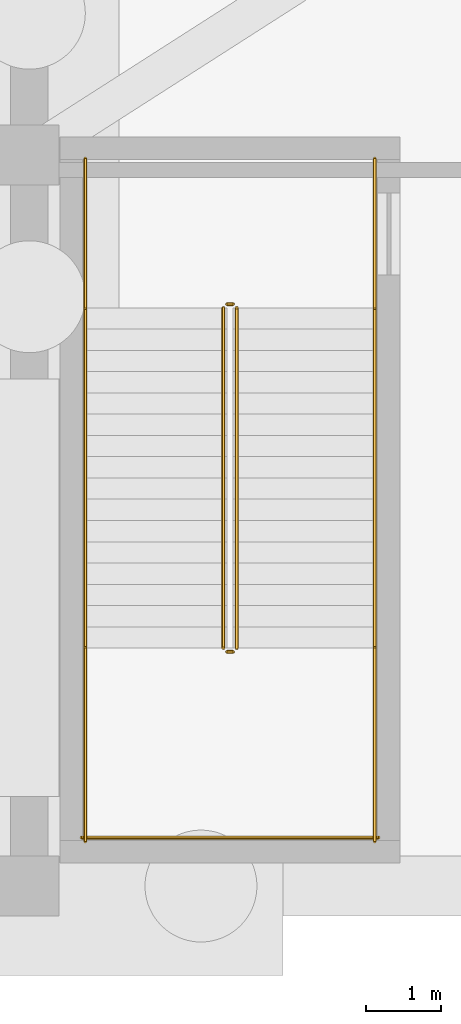
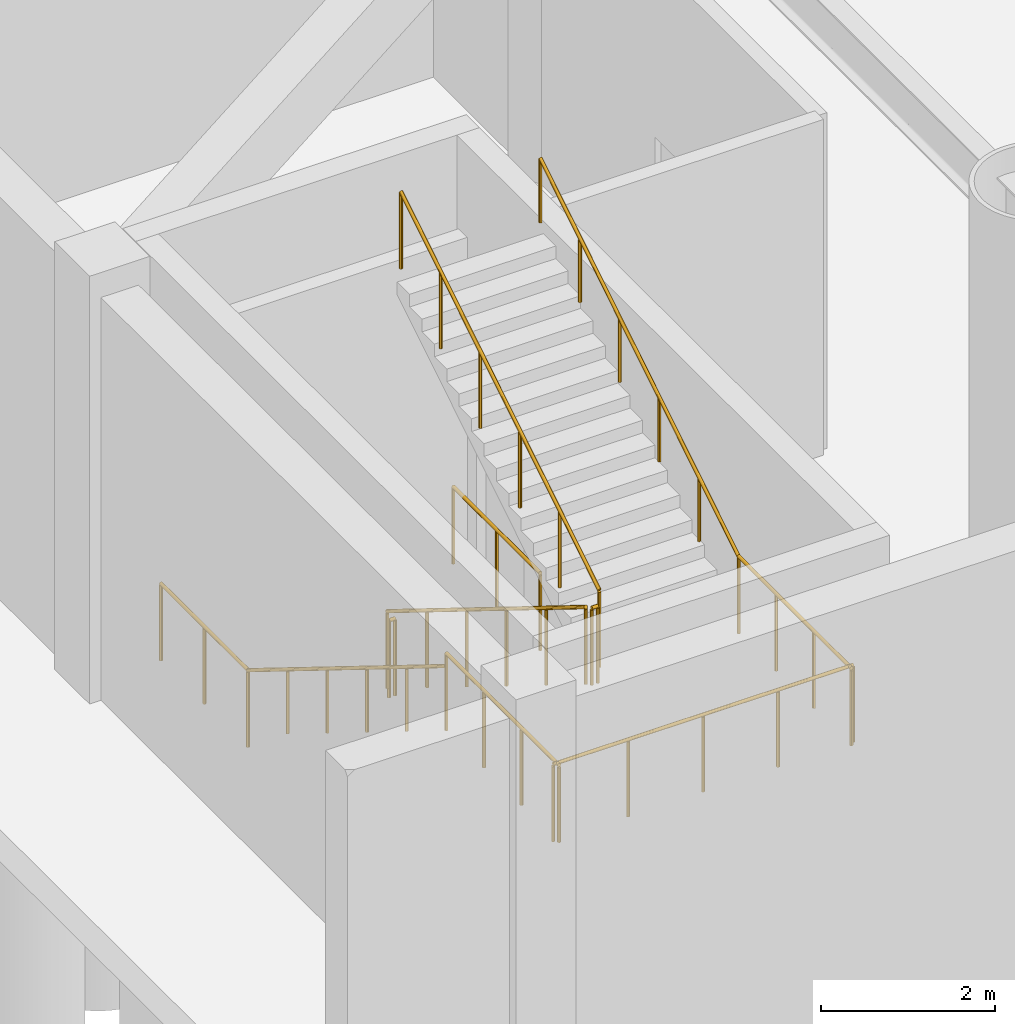
# One storey, part 7 of 12: 11 railings.
"""IFC4 building model written with IfcOpenShell, lengths in metres."""

from ifc_helpers import new_model, si_unit, direction, frame, origin, origin_2d, place, context, subcontext, project, spatial, circle, extrude, material, type_object, element, save


model = new_model("IFC4")

# Units and contexts
model_context = context("Model", 3, precision=1e-05, world=origin(), true_north=direction((0.0, 1.0)))
body_context = subcontext(model_context, "Body", "Model", "MODEL_VIEW")
ifc_project = project(units=[si_unit("LENGTHUNIT", "METRE"), si_unit("AREAUNIT", "SQUARE_METRE"), si_unit("VOLUMEUNIT", "CUBIC_METRE"), si_unit("PLANEANGLEUNIT", "RADIAN"), si_unit("MASSUNIT", "GRAM", prefix="KILO")], contexts=[model_context])

# Site, building, storey
site_placement = place(None, origin())
site = spatial("IfcSite", under=ifc_project, at=site_placement, CompositionType="ELEMENT")
building_placement = place(site_placement, origin())
building = spatial("IfcBuilding", under=site, at=building_placement, Name="Bramvorn Convention Spire", CompositionType="ELEMENT")
storey_placement = place(building_placement, frame((0.0, 0.0, -6.0)))
storey = spatial("IfcBuildingStorey", under=building, at=storey_placement, Name="B1", CompositionType="ELEMENT", Elevation=-6.0)

# Railings
ifc_material_1 = material(Name="Painted Steel Balustrade & Guardrail", Category="steel")
railing_type_1 = type_object("IfcRailingType", Name="RL-STAIR-GUARD-1100", PredefinedType="GUARDRAIL", material=ifc_material_1)
railing_1_placement = place(storey_placement, frame((5.39990234375, 10.35009765625, 0.176513671875)))
element("IfcRailing", 1, at=railing_1_placement, inside=storey, type_object=railing_type_1, Name="B1 ST4 stair guard 1", PredefinedType="GUARDRAIL", context=body_context, shape_type="SweptSolid", body=[
    extrude(circle(Radius=0.02392578125, at=origin_2d()), frame((0.0, 0.0, 1.076171875), z_axis=(0.0, -0.850215668316, 0.526434532824), x_axis=(1.0, 0.0, 0.0)), (0.0, 0.0, 1.0), 5.363525390625),
    extrude(circle(Radius=0.02099609375, at=origin_2d()), origin(), (0.0, 0.0, 1.0), 1.052001953125),
    extrude(circle(Radius=0.02099609375, at=origin_2d()), frame((0.0, -0.912109375, 0.564697265625)), (0.0, 0.0, 1.0), 1.052001953125),
    extrude(circle(Radius=0.02099609375, at=origin_2d()), frame((0.0, -1.823974609375, 1.12939453125)), (0.0, 0.0, 1.0), 1.052001953125),
    extrude(circle(Radius=0.02099609375, at=origin_2d()), frame((0.0, -2.736083984375, 1.694091796875)), (0.0, 0.0, 1.0), 1.052001953125),
    extrude(circle(Radius=0.02099609375, at=origin_2d()), frame((0.0, -3.64794921875, 2.2587890625)), (0.0, 0.0, 1.0), 1.052001953125),
    extrude(circle(Radius=0.02099609375, at=origin_2d()), frame((0.0, -4.56005859375, 2.823486328125)), (0.0, 0.0, 1.0), 1.052001953125),
])
railing_2_placement = place(storey_placement, frame((5.449951171875, 5.739990234375, 3.0)))
element("IfcRailing", 2, at=railing_2_placement, inside=storey, type_object=railing_type_1, Name="B1 ST4 stair guard 2", PredefinedType="GUARDRAIL", context=body_context, shape_type="SweptSolid", body=[
    extrude(circle(Radius=0.02392578125, at=origin_2d()), frame((0.0, 0.0, 1.076171875), z_axis=(1.0, 0.0, 0.0), x_axis=(0.0, 1.0, 0.0)), (0.0, 0.0, 1.0), 0.080078125),
    extrude(circle(Radius=0.02099609375, at=origin_2d()), origin(), (0.0, 0.0, 1.0), 1.052001953125),
    extrude(circle(Radius=0.02099609375, at=origin_2d()), frame((0.080078125, 0.0, 0.0)), (0.0, 0.0, 1.0), 1.052001953125),
])
for number, where, name in (
    (3, (3.550048828125, 5.7900390625, 3.0), "B1 ST4 stair guard 3"),
    (4, (7.429931640625, 5.7900390625, 3.0), "B1 ST4 stair guard 4"),
):
    element("IfcRailing", number, at=place(storey_placement, frame(where)), inside=storey, type_object=railing_type_1, Name=name, PredefinedType="GUARDRAIL", context=body_context, shape_type="SweptSolid", body=[
        extrude(circle(Radius=0.02392578125, at=origin_2d()), frame((0.0, 0.0, 1.076171875), z_axis=(0.0, -1.0, 0.0), x_axis=(1.0, 0.0, 0.0)), (0.0, 0.0, 1.0), 2.590087890625),
        extrude(circle(Radius=0.02099609375, at=origin_2d()), origin(), (0.0, 0.0, 1.0), 1.052001953125),
        extrude(circle(Radius=0.02099609375, at=origin_2d()), frame((0.0, -0.86328125, 0.0)), (0.0, 0.0, 1.0), 1.052001953125),
        extrude(circle(Radius=0.02099609375, at=origin_2d()), frame((0.0, -1.726806640625, 0.0)), (0.0, 0.0, 1.0), 1.052001953125),
        extrude(circle(Radius=0.02099609375, at=origin_2d()), frame((0.0, -2.590087890625, 0.0)), (0.0, 0.0, 1.0), 1.052001953125),
    ])
railing_3_placement = place(storey_placement, frame((3.5, 3.25, 3.0)))
element("IfcRailing", 5, at=railing_3_placement, inside=storey, type_object=railing_type_1, Name="B1 ST4 stair guard 5", PredefinedType="GUARDRAIL", context=body_context, shape_type="SweptSolid", body=[
    extrude(circle(Radius=0.02392578125, at=origin_2d()), frame((0.0, 0.0, 1.076171875), z_axis=(1.0, 0.0, 0.0), x_axis=(0.0, 1.0, 0.0)), (0.0, 0.0, 1.0), 3.97998046875),
    extrude(circle(Radius=0.02099609375, at=origin_2d()), origin(), (0.0, 0.0, 1.0), 1.052001953125),
    extrude(circle(Radius=0.02099609375, at=origin_2d()), frame((0.9951171875, 0.0, 0.0)), (0.0, 0.0, 1.0), 1.052001953125),
    extrude(circle(Radius=0.02099609375, at=origin_2d()), frame((1.989990234375, 0.0, 0.0)), (0.0, 0.0, 1.0), 1.052001953125),
    extrude(circle(Radius=0.02099609375, at=origin_2d()), frame((2.98486328125, 0.0, 0.0)), (0.0, 0.0, 1.0), 1.052001953125),
    extrude(circle(Radius=0.02099609375, at=origin_2d()), frame((3.97998046875, 0.0, 0.0)), (0.0, 0.0, 1.0), 1.052001953125),
])
railing_4_placement = place(storey_placement, frame((5.580078125, 5.7900390625, 3.176513671875)))
element("IfcRailing", 6, at=railing_4_placement, inside=storey, type_object=railing_type_1, Name="B1 ST4 stair guard 6", PredefinedType="GUARDRAIL", context=body_context, shape_type="SweptSolid", body=[
    extrude(circle(Radius=0.02392578125, at=origin_2d()), frame((0.0, 0.0, 1.076171875), z_axis=(0.0, 0.850215668316, 0.526434532824), x_axis=(-1.0, 0.0, 0.0)), (0.0, 0.0, 1.0), 5.363525390625),
    extrude(circle(Radius=0.02099609375, at=origin_2d()), origin(), (0.0, 0.0, 1.0), 1.052001953125),
    extrude(circle(Radius=0.02099609375, at=origin_2d()), frame((0.0, 0.912109375, 0.564697265625)), (0.0, 0.0, 1.0), 1.052001953125),
    extrude(circle(Radius=0.02099609375, at=origin_2d()), frame((0.0, 1.823974609375, 1.12939453125)), (0.0, 0.0, 1.0), 1.052001953125),
    extrude(circle(Radius=0.02099609375, at=origin_2d()), frame((0.0, 2.736083984375, 1.694091796875)), (0.0, 0.0, 1.0), 1.052001953125),
    extrude(circle(Radius=0.02099609375, at=origin_2d()), frame((0.0, 3.64794921875, 2.2587890625)), (0.0, 0.0, 1.0), 1.052001953125),
    extrude(circle(Radius=0.02099609375, at=origin_2d()), frame((0.0, 4.56005859375, 2.823486328125)), (0.0, 0.0, 1.0), 1.052001953125),
])
railing_5_placement = place(storey_placement, frame((5.449951171875, 10.39990234375, 0.0)))
element("IfcRailing", 7, at=railing_5_placement, inside=storey, type_object=railing_type_1, Name="B1 ST4 stair guard 7", PredefinedType="GUARDRAIL", context=body_context, shape_type="SweptSolid", body=[
    extrude(circle(Radius=0.02392578125, at=origin_2d()), frame((0.0, 0.0, 1.076171875), z_axis=(1.0, 0.0, 0.0), x_axis=(0.0, 1.0, 0.0)), (0.0, 0.0, 1.0), 0.080078125),
    extrude(circle(Radius=0.02099609375, at=origin_2d()), origin(), (0.0, 0.0, 1.0), 1.052001953125),
    extrude(circle(Radius=0.02099609375, at=origin_2d()), frame((0.080078125, 0.0, 0.0)), (0.0, 0.0, 1.0), 1.052001953125),
])
for number, where, name in (
    (8, (3.550048828125, 12.35009765625, 0.0), "B1 ST4 stair guard 8"),
    (9, (7.429931640625, 12.35009765625, 0.0), "B1 ST4 stair guard 9"),
):
    element("IfcRailing", number, at=place(storey_placement, frame(where)), inside=storey, type_object=railing_type_1, Name=name, PredefinedType="GUARDRAIL", context=body_context, shape_type="SweptSolid", body=[
        extrude(circle(Radius=0.02392578125, at=origin_2d()), frame((0.0, 0.0, 1.076171875), z_axis=(0.0, -1.0, 0.0), x_axis=(1.0, 0.0, 0.0)), (0.0, 0.0, 1.0), 2.0),
        extrude(circle(Radius=0.02099609375, at=origin_2d()), origin(), (0.0, 0.0, 1.0), 1.052001953125),
        extrude(circle(Radius=0.02099609375, at=origin_2d()), frame((0.0, -1.0, 0.0)), (0.0, 0.0, 1.0), 1.052001953125),
        extrude(circle(Radius=0.02099609375, at=origin_2d()), frame((0.0, -2.0, 0.0)), (0.0, 0.0, 1.0), 1.052001953125),
    ])
ifc_material_2 = material(Name="Brushed Bronze Tubular Handrail", Category="aluminium")
railing_type_2 = type_object("IfcRailingType", Name="RL-STAIR-HR-920", PredefinedType="HANDRAIL", material=ifc_material_2)
railing_6_placement = place(storey_placement, frame((3.550048828125, 10.35009765625, 0.176513671875)))
element("IfcRailing", 10, at=railing_6_placement, inside=storey, type_object=railing_type_2, Name="B1 ST4 stair handrail 1", PredefinedType="HANDRAIL", context=body_context, shape_type="SweptSolid", body=[
    extrude(circle(Radius=0.02392578125, at=origin_2d()), frame((0.0, 0.0, 0.89599609375), z_axis=(0.0, -0.850215668316, 0.526434532824), x_axis=(1.0, 0.0, 0.0)), (0.0, 0.0, 1.0), 5.363525390625),
    extrude(circle(Radius=0.02099609375, at=origin_2d()), origin(), (0.0, 0.0, 1.0), 0.871826171875),
    extrude(circle(Radius=0.02099609375, at=origin_2d()), frame((0.0, -0.912109375, 0.564697265625)), (0.0, 0.0, 1.0), 0.871826171875),
    extrude(circle(Radius=0.02099609375, at=origin_2d()), frame((0.0, -1.823974609375, 1.12939453125)), (0.0, 0.0, 1.0), 0.871826171875),
    extrude(circle(Radius=0.02099609375, at=origin_2d()), frame((0.0, -2.736083984375, 1.694091796875)), (0.0, 0.0, 1.0), 0.871826171875),
    extrude(circle(Radius=0.02099609375, at=origin_2d()), frame((0.0, -3.64794921875, 2.2587890625)), (0.0, 0.0, 1.0), 0.871826171875),
    extrude(circle(Radius=0.02099609375, at=origin_2d()), frame((0.0, -4.56005859375, 2.823486328125)), (0.0, 0.0, 1.0), 0.871826171875),
])
railing_7_placement = place(storey_placement, frame((7.429931640625, 5.7900390625, 3.176513671875)))
element("IfcRailing", 11, at=railing_7_placement, inside=storey, type_object=railing_type_2, Name="B1 ST4 stair handrail 2", PredefinedType="HANDRAIL", context=body_context, shape_type="SweptSolid", body=[
    extrude(circle(Radius=0.02392578125, at=origin_2d()), frame((0.0, 0.0, 0.89599609375), z_axis=(0.0, 0.850215668316, 0.526434532824), x_axis=(-1.0, 0.0, 0.0)), (0.0, 0.0, 1.0), 5.363525390625),
    extrude(circle(Radius=0.02099609375, at=origin_2d()), origin(), (0.0, 0.0, 1.0), 0.871826171875),
    extrude(circle(Radius=0.02099609375, at=origin_2d()), frame((0.0, 0.912109375, 0.564697265625)), (0.0, 0.0, 1.0), 0.871826171875),
    extrude(circle(Radius=0.02099609375, at=origin_2d()), frame((0.0, 1.823974609375, 1.12939453125)), (0.0, 0.0, 1.0), 0.871826171875),
    extrude(circle(Radius=0.02099609375, at=origin_2d()), frame((0.0, 2.736083984375, 1.694091796875)), (0.0, 0.0, 1.0), 0.871826171875),
    extrude(circle(Radius=0.02099609375, at=origin_2d()), frame((0.0, 3.64794921875, 2.2587890625)), (0.0, 0.0, 1.0), 0.871826171875),
    extrude(circle(Radius=0.02099609375, at=origin_2d()), frame((0.0, 4.56005859375, 2.823486328125)), (0.0, 0.0, 1.0), 0.871826171875),
])

save(model, "model.ifc")
